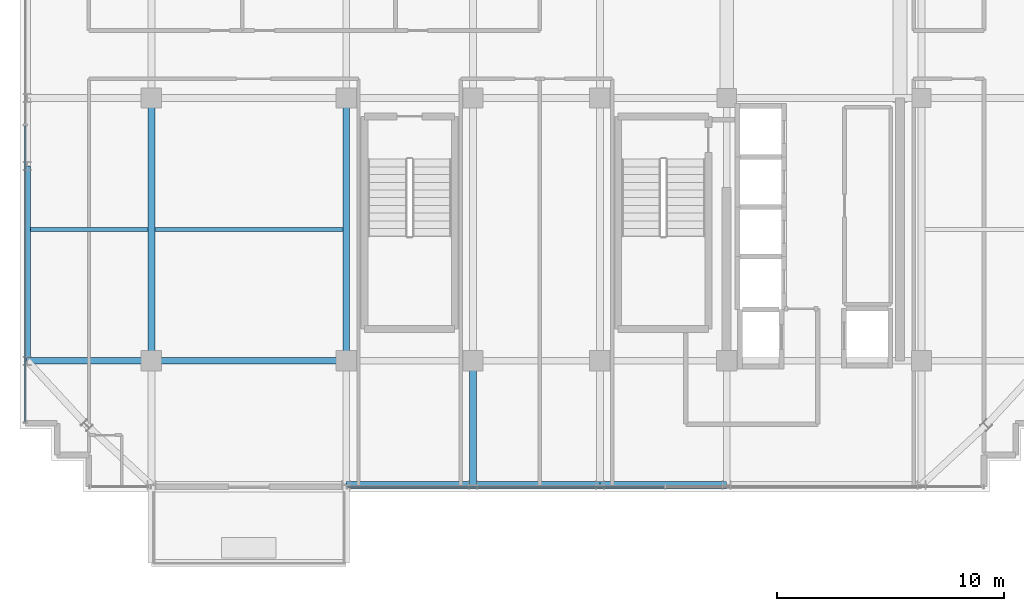
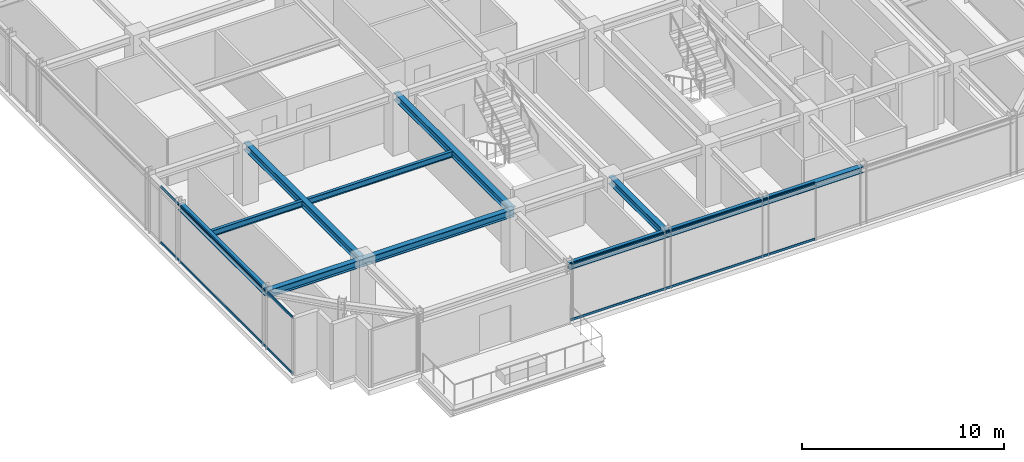
# One storey, part 6 of 32: 11 beams, 4 members, 2 elements without a shape of their own.
"""IFC4 building model written with IfcOpenShell, lengths in metres."""

from ifc_helpers import new_model, si_unit, direction, frame, origin, origin_2d, place, context, subcontext, project, spatial, hollow_rectangle, i_section, extrude, source, transform, mapped, material, material_profile, profile_set, type_object, element, aggregate, save


model = new_model("IFC4")

# Units and contexts
model_context = context("Model", 3, precision=1e-05, world=origin(), true_north=direction((0.0, 1.0)))
body_context = subcontext(model_context, "Body", "Model", "MODEL_VIEW")
ifc_project = project(units=[si_unit("LENGTHUNIT", "METRE"), si_unit("AREAUNIT", "SQUARE_METRE"), si_unit("VOLUMEUNIT", "CUBIC_METRE"), si_unit("PLANEANGLEUNIT", "RADIAN"), si_unit("MASSUNIT", "GRAM", prefix="KILO")], contexts=[model_context])

# Site, building, storey
site_placement = place(None, origin())
site = spatial("IfcSite", under=ifc_project, at=site_placement, CompositionType="ELEMENT")
building_placement = place(site_placement, origin())
building = spatial("IfcBuilding", under=site, at=building_placement, Name="Nahalor Promenade Grand Hotel", CompositionType="ELEMENT")
storey_placement = place(building_placement, frame((0.0, 0.0, 330.949951171875)))
storey = spatial("IfcBuildingStorey", under=building, at=storey_placement, Name="L85", CompositionType="ELEMENT", Elevation=330.949951171875)

# Beams
ifc_material_1 = material(Name="Steel S355JR", Category="steel")
ifc_material_profile_1 = material_profile(ifc_material_1, i_section(OverallWidth=0.3, OverallDepth=0.45, WebThickness=0.014, FlangeThickness=0.026, at=origin_2d()), Name="HEB 450")
ifc_profile_set_1 = profile_set([ifc_material_profile_1], Name="Steel S355JR")
beam_type_1 = type_object("IfcBeamType", Name="Beam-Girder-HEB450", PredefinedType="BEAM", material=ifc_profile_set_1)
shared_shape_1 = source(origin(), body_context, "Body", "SweptSolid", [
    extrude(i_section(OverallWidth=0.3, OverallDepth=0.45, WebThickness=0.014, FlangeThickness=0.026, at=origin_2d()), origin(), (0.0, 0.0, 1.0), 8.60009765625),
])
beam_1_placement = place(storey_placement, frame((-17.0, -17.0, 3.275146484375), z_axis=(1.0, 0.0, 0.0), x_axis=(0.0, 1.0, 0.0)))
element("IfcBeam", 1, at=beam_1_placement, inside=storey, type_object=beam_type_1, Name="BM-L85-GX-0-1", PredefinedType="BEAM", context=body_context, shape_type="MappedRepresentation", body=[
    mapped(shared_shape_1, transform((0.0, 0.0, 0.0), scale=1.0)),
])
shared_shape_2 = source(origin(), body_context, "Body", "SweptSolid", [
    extrude(i_section(OverallWidth=0.3, OverallDepth=0.45, WebThickness=0.014, FlangeThickness=0.026, at=origin_2d()), origin(), (0.0, 0.0, 1.0), 11.60009765625),
])
for number, where, z_axis, x_axis, name in (
    (2, (-17.0, -17.0, 3.275146484375), (0.0, 1.0, 0.0), (-1.0, 0.0, 0.0), "BM-L85-GY-0-1"),
    (3, (-8.39990234375, -17.0, 3.275146484375), (0.0, 1.0, 0.0), (-1.0, 0.0, 0.0), "BM-L85-GY-1-1"),
):
    element("IfcBeam", number, at=place(storey_placement, frame(where, z_axis=z_axis, x_axis=x_axis)), inside=storey, type_object=beam_type_1, Name=name, PredefinedType="BEAM", context=body_context, shape_type="MappedRepresentation", body=[
        mapped(shared_shape_2, transform((0.0, 0.0, 0.0), scale=1.0)),
    ])
shared_shape_3 = source(origin(), body_context, "Body", "SweptSolid", [
    extrude(i_section(OverallWidth=0.3, OverallDepth=0.45, WebThickness=0.014, FlangeThickness=0.026, at=origin_2d()), origin(), (0.0, 0.0, 1.0), 5.47998046875),
])
for number, where, z_axis, x_axis, name in (
    (4, (-22.47998046875, -17.0, 3.275146484375), (1.0, 0.0, 0.0), (0.0, 1.0, 0.0), "BM-L85-GX-0-0"),
    (5, (-2.800048828125, -22.47998046875, 3.275146484375), (0.0, 1.0, 0.0), (-1.0, 0.0, 0.0), "BM-L85-GY-2-0"),
):
    element("IfcBeam", number, at=place(storey_placement, frame(where, z_axis=z_axis, x_axis=x_axis)), inside=storey, type_object=beam_type_1, Name=name, PredefinedType="BEAM", context=body_context, shape_type="MappedRepresentation", body=[
        mapped(shared_shape_3, transform((0.0, 0.0, 0.0), scale=1.0)),
    ])
ifc_material_profile_2 = material_profile(ifc_material_1, i_section(OverallWidth=0.3, OverallDepth=0.36, WebThickness=0.0125, FlangeThickness=0.0225, at=origin_2d()), Name="HEB 360")
ifc_profile_set_2 = profile_set([ifc_material_profile_2], Name="Steel S355JR")
beam_type_2 = type_object("IfcBeamType", Name="Beam-Spandrel-HEB360", PredefinedType="SPANDREL", material=ifc_profile_set_2)
shared_shape_4 = source(origin(), body_context, "Body", "SweptSolid", [
    extrude(i_section(OverallWidth=0.3, OverallDepth=0.36, WebThickness=0.0125, FlangeThickness=0.0225, at=origin_2d()), origin(), (0.0, 0.0, 1.0), 8.60009765625),
])
beam_2_placement = place(storey_placement, frame((-22.47998046875, -17.0, 3.320068359375), z_axis=(0.0, 1.0, 0.0), x_axis=(-1.0, 0.0, 0.0)))
element("IfcBeam", 6, at=beam_2_placement, inside=storey, type_object=beam_type_2, Name="BM-L85-SP-W-0", PredefinedType="SPANDREL", context=body_context, shape_type="MappedRepresentation", body=[
    mapped(shared_shape_4, transform((0.0, 0.0, 0.0), scale=1.0)),
])
shared_shape_5 = source(origin(), body_context, "Body", "SweptSolid", [
    extrude(i_section(OverallWidth=0.3, OverallDepth=0.36, WebThickness=0.0125, FlangeThickness=0.0225, at=origin_2d()), origin(), (0.0, 0.0, 1.0), 5.599853515625),
])
for number, where, z_axis, x_axis, name in (
    (7, (-8.39990234375, -22.47998046875, 3.320068359375), (1.0, 0.0, 0.0), (0.0, 1.0, 0.0), "BM-L85-SP-S-1"),
    (8, (2.800048828125, -22.47998046875, 3.320068359375), (1.0, 0.0, 0.0), (0.0, 1.0, 0.0), "BM-L85-SP-S-3"),
):
    element("IfcBeam", number, at=place(storey_placement, frame(where, z_axis=z_axis, x_axis=x_axis)), inside=storey, type_object=beam_type_2, Name=name, PredefinedType="SPANDREL", context=body_context, shape_type="MappedRepresentation", body=[
        mapped(shared_shape_5, transform((0.0, 0.0, 0.0), scale=1.0)),
    ])
shared_shape_6 = source(origin(), body_context, "Body", "SweptSolid", [
    extrude(i_section(OverallWidth=0.3, OverallDepth=0.36, WebThickness=0.0125, FlangeThickness=0.0225, at=origin_2d()), origin(), (0.0, 0.0, 1.0), 5.60009765625),
])
beam_3_placement = place(storey_placement, frame((-2.800048828125, -22.47998046875, 3.320068359375), z_axis=(1.0, 0.0, 0.0), x_axis=(0.0, 1.0, 0.0)))
element("IfcBeam", 9, at=beam_3_placement, inside=storey, type_object=beam_type_2, Name="BM-L85-SP-S-2", PredefinedType="SPANDREL", context=body_context, shape_type="MappedRepresentation", body=[
    mapped(shared_shape_6, transform((0.0, 0.0, 0.0), scale=1.0)),
])
ifc_material_profile_3 = material_profile(ifc_material_1, i_section(OverallWidth=0.17, OverallDepth=0.36, WebThickness=0.008, FlangeThickness=0.0127, at=origin_2d()), Name="IPE 360")
ifc_profile_set_3 = profile_set([ifc_material_profile_3], Name="Steel S355JR")
beam_type_3 = type_object("IfcBeamType", Name="Beam-Joist-IPE360", PredefinedType="JOIST", material=ifc_profile_set_3)
shared_shape_7 = source(origin(), body_context, "Body", "SweptSolid", [
    extrude(i_section(OverallWidth=0.17, OverallDepth=0.36, WebThickness=0.008, FlangeThickness=0.0127, at=origin_2d()), origin(), (0.0, 0.0, 1.0), 5.18017578125),
])
beam_4_placement = place(storey_placement, frame((-22.330078125, -11.199951171875, 3.320068359375), z_axis=(1.0, 0.0, 0.0), x_axis=(0.0, 1.0, 0.0)))
element("IfcBeam", 10, at=beam_4_placement, inside=storey, type_object=beam_type_3, Name="BM-L85-JSW-0-0", PredefinedType="JOIST", context=body_context, shape_type="MappedRepresentation", body=[
    mapped(shared_shape_7, transform((0.0, 0.0, 0.0), scale=1.0)),
])
shared_shape_8 = source(origin(), body_context, "Body", "SweptSolid", [
    extrude(i_section(OverallWidth=0.17, OverallDepth=0.36, WebThickness=0.008, FlangeThickness=0.0127, at=origin_2d()), origin(), (0.0, 0.0, 1.0), 8.300048828125),
])
beam_5_placement = place(storey_placement, frame((-16.85009765625, -11.199951171875, 3.320068359375), z_axis=(1.0, 0.0, 0.0), x_axis=(0.0, 1.0, 0.0)))
element("IfcBeam", 11, at=beam_5_placement, inside=storey, type_object=beam_type_3, Name="BM-L85-JSW-0-1", PredefinedType="JOIST", context=body_context, shape_type="MappedRepresentation", body=[
    mapped(shared_shape_8, transform((0.0, 0.0, 0.0), scale=1.0)),
])

# Curtain wall, members
ifc_material_2 = material(Name="Anodised Bronze Aluminium EN AW-6063 T6", Category="aluminium")
curtain_wall_type = type_object("IfcCurtainWallType", Name="CW2 Typical Hotel Flush Bronze Unitised Curtain Wall", PredefinedType="USERDEFINED", material=ifc_material_2)
curtain_wall_1_placement = place(storey_placement, origin())
curtain_wall_1 = element("IfcCurtainWall", 12, at=curtain_wall_1_placement, inside=storey, type_object=curtain_wall_type, Name="L85 Curtain Wall CW-L85-S-3", ObjectType="UNITISED_CURTAIN_WALL", PredefinedType="USERDEFINED")
ifc_material_profile_4 = material_profile(ifc_material_2, hollow_rectangle(XDim=0.065, YDim=0.13, WallThickness=0.004, at=origin_2d()), Name="CWT 65x130x4")
ifc_profile_set_4 = profile_set([ifc_material_profile_4], Name="Anodised Bronze Aluminium EN AW-6063 T6")
member_type = type_object("IfcMemberType", Name="CWT2 Typical Bronze Transom 65x130", PredefinedType="USERDEFINED", material=ifc_profile_set_4)
shared_shape_9 = source(origin(), body_context, "Body", "SweptSolid", [
    extrude(hollow_rectangle(XDim=0.065, YDim=0.13, WallThickness=0.004, at=origin_2d()), origin(), (0.0, 0.0, 1.0), 13.982421875),
])
member_1_placement = place(storey_placement, frame((-8.3349609375, -22.56005859375, 0.06494140625), z_axis=(1.0, 0.0, 0.0), x_axis=(0.0, 1.0, 0.0)))
member_1 = element("IfcMember", 13, at=member_1_placement, type_object=member_type, Name="CW-L85-S-3 Transom 0-0", ObjectType="TRANSOM", PredefinedType="USERDEFINED", context=body_context, shape_type="MappedRepresentation", body=[
    mapped(shared_shape_9, transform((0.0, 0.0, 0.0), scale=1.0)),
])
member_2_placement = place(storey_placement, frame((-8.3349609375, -22.56005859375, 3.43505859375), z_axis=(1.0, 0.0, 0.0), x_axis=(0.0, 1.0, 0.0)))
member_2 = element("IfcMember", 14, at=member_2_placement, type_object=member_type, Name="CW-L85-S-3 Transom 0-1", ObjectType="TRANSOM", PredefinedType="USERDEFINED", context=body_context, shape_type="MappedRepresentation", body=[
    mapped(shared_shape_9, transform((0.0, 0.0, 0.0), scale=1.0)),
])
aggregate(curtain_wall_1, [member_1, member_2])

curtain_wall_2_placement = place(storey_placement, origin())
curtain_wall_2 = element("IfcCurtainWall", 15, at=curtain_wall_2_placement, inside=storey, type_object=curtain_wall_type, Name="L85 Curtain Wall CW-L85-W-1", ObjectType="UNITISED_CURTAIN_WALL", PredefinedType="USERDEFINED")
shared_shape_10 = source(origin(), body_context, "Body", "SweptSolid", [
    extrude(hollow_rectangle(XDim=0.065, YDim=0.13, WallThickness=0.004, at=origin_2d()), origin(), (0.0, 0.0, 1.0), 13.075927734375),
])
member_3_placement = place(storey_placement, frame((-22.56005859375, -19.695068359375, 0.06494140625), z_axis=(0.0, 1.0, 0.0), x_axis=(-1.0, 0.0, 0.0)))
member_3 = element("IfcMember", 16, at=member_3_placement, type_object=member_type, Name="CW-L85-W-1 Transom 0-0", ObjectType="TRANSOM", PredefinedType="USERDEFINED", context=body_context, shape_type="MappedRepresentation", body=[
    mapped(shared_shape_10, transform((0.0, 0.0, 0.0), scale=1.0)),
])
member_4_placement = place(storey_placement, frame((-22.56005859375, -19.695068359375, 3.43505859375), z_axis=(0.0, 1.0, 0.0), x_axis=(-1.0, 0.0, 0.0)))
member_4 = element("IfcMember", 17, at=member_4_placement, type_object=member_type, Name="CW-L85-W-1 Transom 0-1", ObjectType="TRANSOM", PredefinedType="USERDEFINED", context=body_context, shape_type="MappedRepresentation", body=[
    mapped(shared_shape_10, transform((0.0, 0.0, 0.0), scale=1.0)),
])
aggregate(curtain_wall_2, [member_3, member_4])

save(model, "model.ifc")
